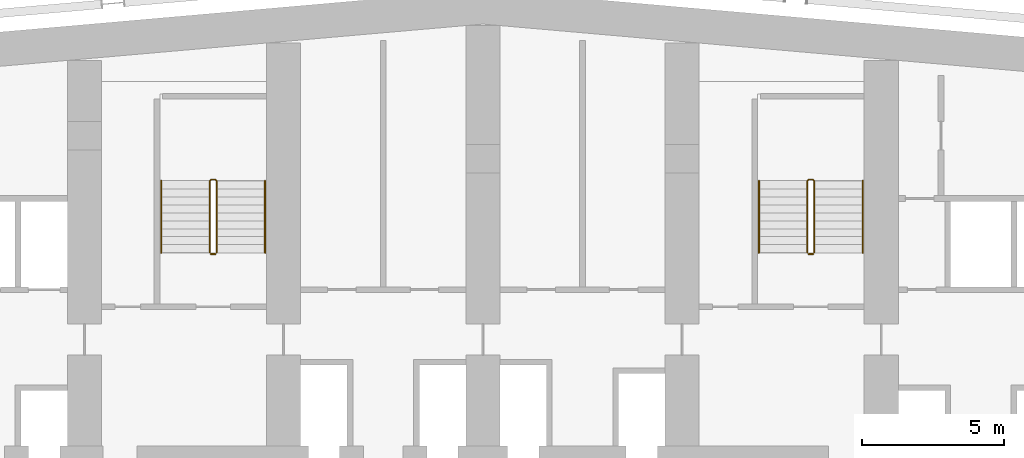
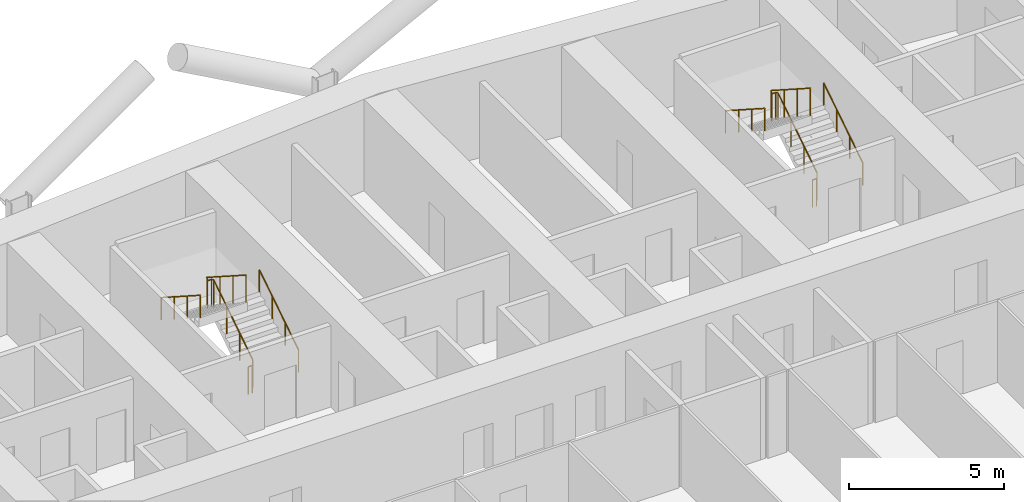
# One storey, part 27 of 28: 8 railings.
"""IFC4 building model written with IfcOpenShell, lengths in metres."""

from ifc_helpers import new_model, si_unit, direction, frame, origin, origin_2d, place, context, subcontext, project, spatial, circle, extrude, material, type_object, element, save


model = new_model("IFC4")

# Units and contexts
model_context = context("Model", 3, precision=1e-05, world=origin(), true_north=direction((0.0, 1.0)))
body_context = subcontext(model_context, "Body", "Model", "MODEL_VIEW")
ifc_project = project(units=[si_unit("LENGTHUNIT", "METRE"), si_unit("AREAUNIT", "SQUARE_METRE"), si_unit("VOLUMEUNIT", "CUBIC_METRE"), si_unit("PLANEANGLEUNIT", "RADIAN"), si_unit("MASSUNIT", "GRAM", prefix="KILO")], contexts=[model_context])

# Site, building, storey
site_placement = place(None, origin())
site = spatial("IfcSite", under=ifc_project, at=site_placement, CompositionType="ELEMENT")
building_placement = place(site_placement, origin())
building = spatial("IfcBuilding", under=site, at=building_placement, Name="Wharfspan Tower", CompositionType="ELEMENT")
storey_placement = place(building_placement, frame((0.0, 0.0, 59.5)))
storey = spatial("IfcBuildingStorey", under=building, at=storey_placement, Name="L11", CompositionType="ELEMENT", Elevation=59.5)

# Railings
ifc_material = material(Name="Steel S355J2", Category="steel")
railing_type_1 = type_object("IfcRailingType", Name="Stair guard 1100", PredefinedType="GUARDRAIL", material=ifc_material)
railing_1_placement = place(storey_placement, frame((27.649902, 42.0, 0.179932)))
element("IfcRailing", 1, at=railing_1_placement, inside=storey, type_object=railing_type_1, Name="L11 ST1 stair guard 1", PredefinedType="GUARDRAIL", context=body_context, shape_type="SweptSolid", body=[
    extrude(circle(Radius=0.023926, at=origin_2d()), frame((0.0, 0.0, 1.076172), z_axis=(0.0, 0.841163, 0.540782), x_axis=(-1.0, 0.0, 0.0)), (0.0, 0.0, 1.0), 2.99585),
    extrude(circle(Radius=0.023926, at=origin_2d()), frame((0.0, 2.52002, 2.696289), z_axis=(-0.705376, 0.708834, 0.0), x_axis=(-0.708834, -0.705376, 0.0)), (0.0, 0.0, 1.0), 0.070557),
    extrude(circle(Radius=0.023926, at=origin_2d()), frame((-0.049805, 2.570068, 2.696289), z_axis=(-1.0, 0.0, 0.0), x_axis=(0.0, -1.0, 0.0)), (0.0, 0.0, 1.0), 0.150146),
    extrude(circle(Radius=0.023926, at=origin_2d()), frame((-0.199951, 2.570068, 2.696289), z_axis=(-0.258848, -0.258848, 0.930589), x_axis=(0.707107, -0.707107, 0.0)), (0.0, 0.0, 1.0), 0.193359),
    extrude(circle(Radius=0.023926, at=origin_2d()), frame((-0.25, 2.52002, 2.875977), z_axis=(0.0, -0.841163, 0.540782), x_axis=(1.0, 0.0, 0.0)), (0.0, 0.0, 1.0), 2.99585),
    extrude(circle(Radius=0.020996, at=origin_2d()), origin(), (0.0, 0.0, 1.0), 1.052002),
    extrude(circle(Radius=0.020996, at=origin_2d()), frame((0.0, 0.840088, 0.540039)), (0.0, 0.0, 1.0), 1.052002),
    extrude(circle(Radius=0.020996, at=origin_2d()), frame((0.0, 1.679932, 1.080078)), (0.0, 0.0, 1.0), 1.052002),
    extrude(circle(Radius=0.020996, at=origin_2d()), frame((0.0, 2.52002, 1.620117)), (0.0, 0.0, 1.0), 1.052002),
    extrude(circle(Radius=0.020996, at=origin_2d()), frame((-0.049805, 2.570068, 1.620117)), (0.0, 0.0, 1.0), 1.052002),
    extrude(circle(Radius=0.020996, at=origin_2d()), frame((-0.199951, 2.570068, 1.620117)), (0.0, 0.0, 1.0), 1.052002),
    extrude(circle(Radius=0.020996, at=origin_2d()), frame((-0.25, 2.52002, 1.800049)), (0.0, 0.0, 1.0), 1.052002),
    extrude(circle(Radius=0.020996, at=origin_2d()), frame((-0.25, 1.679932, 2.340088)), (0.0, 0.0, 1.0), 1.052002),
    extrude(circle(Radius=0.020996, at=origin_2d()), frame((-0.25, 0.840088, 2.880127)), (0.0, 0.0, 1.0), 1.052002),
    extrude(circle(Radius=0.020996, at=origin_2d()), frame((-0.25, 0.0, 3.420166)), (0.0, 0.0, 1.0), 1.052002),
])
railing_2_placement = place(storey_placement, frame((27.600098, 41.949951, 0.0)))
element("IfcRailing", 2, at=railing_2_placement, inside=storey, type_object=railing_type_1, Name="L11 ST1 stair guard 2", PredefinedType="GUARDRAIL", context=body_context, shape_type="SweptSolid", body=[
    extrude(circle(Radius=0.023926, at=origin_2d()), frame((0.0, 0.0, 1.076172), z_axis=(-1.0, 0.0, 0.0), x_axis=(0.0, -1.0, 0.0)), (0.0, 0.0, 1.0), 0.150146),
    extrude(circle(Radius=0.020996, at=origin_2d()), origin(), (0.0, 0.0, 1.0), 1.052002),
    extrude(circle(Radius=0.020996, at=origin_2d()), frame((-0.150146, 0.0, 0.0)), (0.0, 0.0, 1.0), 1.052002),
])
railing_3_placement = place(storey_placement, frame((48.649902, 42.0, 0.179932)))
element("IfcRailing", 3, at=railing_3_placement, inside=storey, type_object=railing_type_1, Name="L11 ST2 stair guard 1", PredefinedType="GUARDRAIL", context=body_context, shape_type="SweptSolid", body=[
    extrude(circle(Radius=0.023926, at=origin_2d()), frame((0.0, 0.0, 1.076172), z_axis=(0.0, 0.841163, 0.540782), x_axis=(-1.0, 0.0, 0.0)), (0.0, 0.0, 1.0), 2.99585),
    extrude(circle(Radius=0.023926, at=origin_2d()), frame((0.0, 2.52002, 2.696289), z_axis=(-0.705376, 0.708834, 0.0), x_axis=(-0.708834, -0.705376, 0.0)), (0.0, 0.0, 1.0), 0.070557),
    extrude(circle(Radius=0.023926, at=origin_2d()), frame((-0.049805, 2.570068, 2.696289), z_axis=(-1.0, 0.0, 0.0), x_axis=(0.0, -1.0, 0.0)), (0.0, 0.0, 1.0), 0.150146),
    extrude(circle(Radius=0.023926, at=origin_2d()), frame((-0.199951, 2.570068, 2.696289), z_axis=(-0.258848, -0.258848, 0.930589), x_axis=(0.707107, -0.707107, 0.0)), (0.0, 0.0, 1.0), 0.193359),
    extrude(circle(Radius=0.023926, at=origin_2d()), frame((-0.25, 2.52002, 2.875977), z_axis=(0.0, -0.841163, 0.540782), x_axis=(1.0, 0.0, 0.0)), (0.0, 0.0, 1.0), 2.99585),
    extrude(circle(Radius=0.020996, at=origin_2d()), origin(), (0.0, 0.0, 1.0), 1.052002),
    extrude(circle(Radius=0.020996, at=origin_2d()), frame((0.0, 0.840088, 0.540039)), (0.0, 0.0, 1.0), 1.052002),
    extrude(circle(Radius=0.020996, at=origin_2d()), frame((0.0, 1.679932, 1.080078)), (0.0, 0.0, 1.0), 1.052002),
    extrude(circle(Radius=0.020996, at=origin_2d()), frame((0.0, 2.52002, 1.620117)), (0.0, 0.0, 1.0), 1.052002),
    extrude(circle(Radius=0.020996, at=origin_2d()), frame((-0.049805, 2.570068, 1.620117)), (0.0, 0.0, 1.0), 1.052002),
    extrude(circle(Radius=0.020996, at=origin_2d()), frame((-0.199951, 2.570068, 1.620117)), (0.0, 0.0, 1.0), 1.052002),
    extrude(circle(Radius=0.020996, at=origin_2d()), frame((-0.25, 2.52002, 1.800049)), (0.0, 0.0, 1.0), 1.052002),
    extrude(circle(Radius=0.020996, at=origin_2d()), frame((-0.25, 1.679932, 2.340088)), (0.0, 0.0, 1.0), 1.052002),
    extrude(circle(Radius=0.020996, at=origin_2d()), frame((-0.25, 0.840088, 2.880127)), (0.0, 0.0, 1.0), 1.052002),
    extrude(circle(Radius=0.020996, at=origin_2d()), frame((-0.25, 0.0, 3.420166)), (0.0, 0.0, 1.0), 1.052002),
])
railing_4_placement = place(storey_placement, frame((48.600098, 41.949951, 0.0)))
element("IfcRailing", 4, at=railing_4_placement, inside=storey, type_object=railing_type_1, Name="L11 ST2 stair guard 2", PredefinedType="GUARDRAIL", context=body_context, shape_type="SweptSolid", body=[
    extrude(circle(Radius=0.023926, at=origin_2d()), frame((0.0, 0.0, 1.076172), z_axis=(-1.0, 0.0, 0.0), x_axis=(0.0, -1.0, 0.0)), (0.0, 0.0, 1.0), 0.150146),
    extrude(circle(Radius=0.020996, at=origin_2d()), origin(), (0.0, 0.0, 1.0), 1.052002),
    extrude(circle(Radius=0.020996, at=origin_2d()), frame((-0.150146, 0.0, 0.0)), (0.0, 0.0, 1.0), 1.052002),
])
railing_type_2 = type_object("IfcRailingType", Name="Stair handrail 900", PredefinedType="HANDRAIL", material=ifc_material)
railing_5_placement = place(storey_placement, frame((29.350098, 42.0, 0.179932)))
element("IfcRailing", 5, at=railing_5_placement, inside=storey, type_object=railing_type_2, Name="L11 ST1 stair handrail 1", PredefinedType="HANDRAIL", context=body_context, shape_type="SweptSolid", body=[
    extrude(circle(Radius=0.023926, at=origin_2d()), frame((0.0, 0.0, 0.875977), z_axis=(0.0, 0.841163, 0.540782), x_axis=(-1.0, 0.0, 0.0)), (0.0, 0.0, 1.0), 2.99585),
    extrude(circle(Radius=0.020996, at=origin_2d()), origin(), (0.0, 0.0, 1.0), 0.851807),
    extrude(circle(Radius=0.020996, at=origin_2d()), frame((0.0, 0.840088, 0.540039)), (0.0, 0.0, 1.0), 0.851807),
    extrude(circle(Radius=0.020996, at=origin_2d()), frame((0.0, 1.679932, 1.080078)), (0.0, 0.0, 1.0), 0.851807),
    extrude(circle(Radius=0.020996, at=origin_2d()), frame((0.0, 2.52002, 1.620117)), (0.0, 0.0, 1.0), 0.851807),
])
railing_6_placement = place(storey_placement, frame((25.699951, 44.52002, 1.97998)))
element("IfcRailing", 6, at=railing_6_placement, inside=storey, type_object=railing_type_2, Name="L11 ST1 stair handrail 2", PredefinedType="HANDRAIL", context=body_context, shape_type="SweptSolid", body=[
    extrude(circle(Radius=0.023926, at=origin_2d()), frame((0.0, 0.0, 0.875977), z_axis=(0.0, -0.841163, 0.540782), x_axis=(1.0, 0.0, 0.0)), (0.0, 0.0, 1.0), 2.99585),
    extrude(circle(Radius=0.020996, at=origin_2d()), origin(), (0.0, 0.0, 1.0), 0.851807),
    extrude(circle(Radius=0.020996, at=origin_2d()), frame((0.0, -0.840088, 0.540039)), (0.0, 0.0, 1.0), 0.851807),
    extrude(circle(Radius=0.020996, at=origin_2d()), frame((0.0, -1.679932, 1.080078)), (0.0, 0.0, 1.0), 0.851807),
    extrude(circle(Radius=0.020996, at=origin_2d()), frame((0.0, -2.52002, 1.620117)), (0.0, 0.0, 1.0), 0.851807),
])
railing_7_placement = place(storey_placement, frame((50.350098, 42.0, 0.179932)))
element("IfcRailing", 7, at=railing_7_placement, inside=storey, type_object=railing_type_2, Name="L11 ST2 stair handrail 1", PredefinedType="HANDRAIL", context=body_context, shape_type="SweptSolid", body=[
    extrude(circle(Radius=0.023926, at=origin_2d()), frame((0.0, 0.0, 0.875977), z_axis=(0.0, 0.841163, 0.540782), x_axis=(-1.0, 0.0, 0.0)), (0.0, 0.0, 1.0), 2.99585),
    extrude(circle(Radius=0.020996, at=origin_2d()), origin(), (0.0, 0.0, 1.0), 0.851807),
    extrude(circle(Radius=0.020996, at=origin_2d()), frame((0.0, 0.840088, 0.540039)), (0.0, 0.0, 1.0), 0.851807),
    extrude(circle(Radius=0.020996, at=origin_2d()), frame((0.0, 1.679932, 1.080078)), (0.0, 0.0, 1.0), 0.851807),
    extrude(circle(Radius=0.020996, at=origin_2d()), frame((0.0, 2.52002, 1.620117)), (0.0, 0.0, 1.0), 0.851807),
])
railing_8_placement = place(storey_placement, frame((46.699951, 44.52002, 1.97998)))
element("IfcRailing", 8, at=railing_8_placement, inside=storey, type_object=railing_type_2, Name="L11 ST2 stair handrail 2", PredefinedType="HANDRAIL", context=body_context, shape_type="SweptSolid", body=[
    extrude(circle(Radius=0.023926, at=origin_2d()), frame((0.0, 0.0, 0.875977), z_axis=(0.0, -0.841163, 0.540782), x_axis=(1.0, 0.0, 0.0)), (0.0, 0.0, 1.0), 2.99585),
    extrude(circle(Radius=0.020996, at=origin_2d()), origin(), (0.0, 0.0, 1.0), 0.851807),
    extrude(circle(Radius=0.020996, at=origin_2d()), frame((0.0, -0.840088, 0.540039)), (0.0, 0.0, 1.0), 0.851807),
    extrude(circle(Radius=0.020996, at=origin_2d()), frame((0.0, -1.679932, 1.080078)), (0.0, 0.0, 1.0), 0.851807),
    extrude(circle(Radius=0.020996, at=origin_2d()), frame((0.0, -2.52002, 1.620117)), (0.0, 0.0, 1.0), 0.851807),
])

save(model, "model.ifc")
